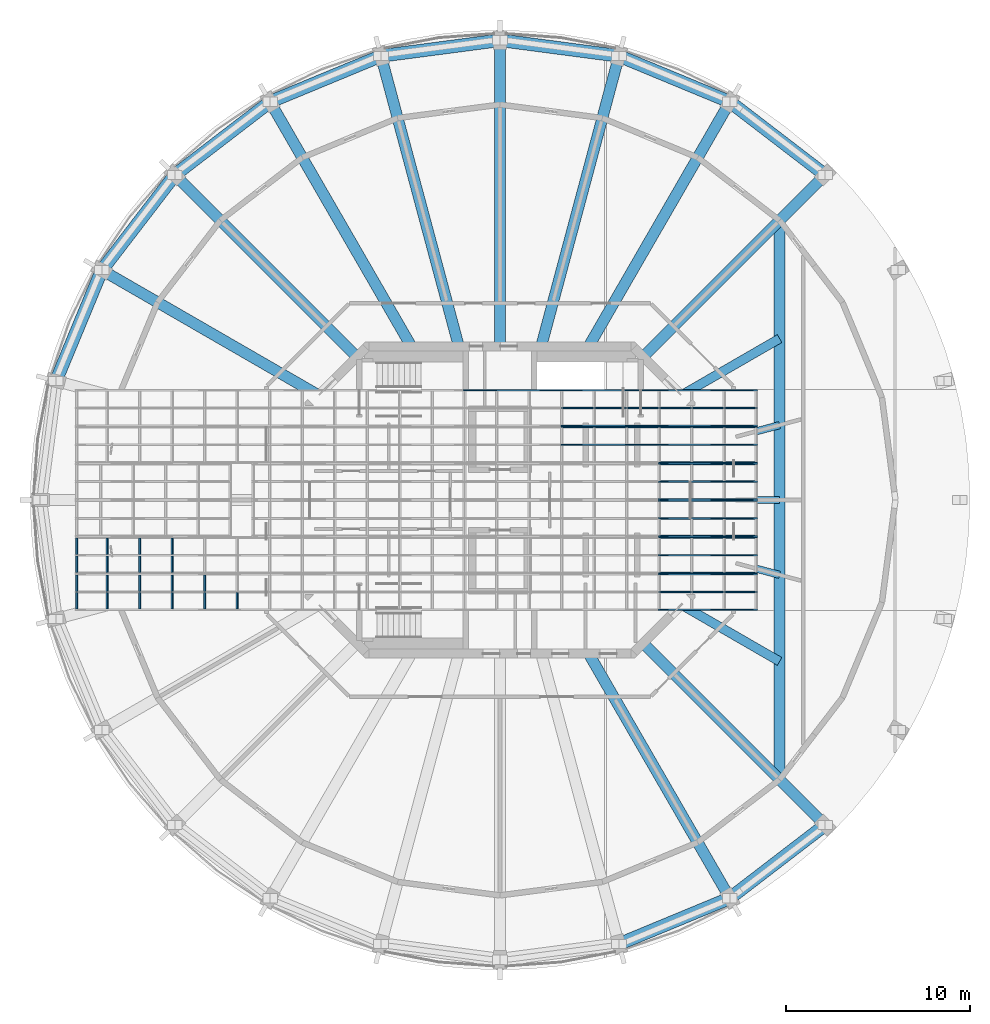
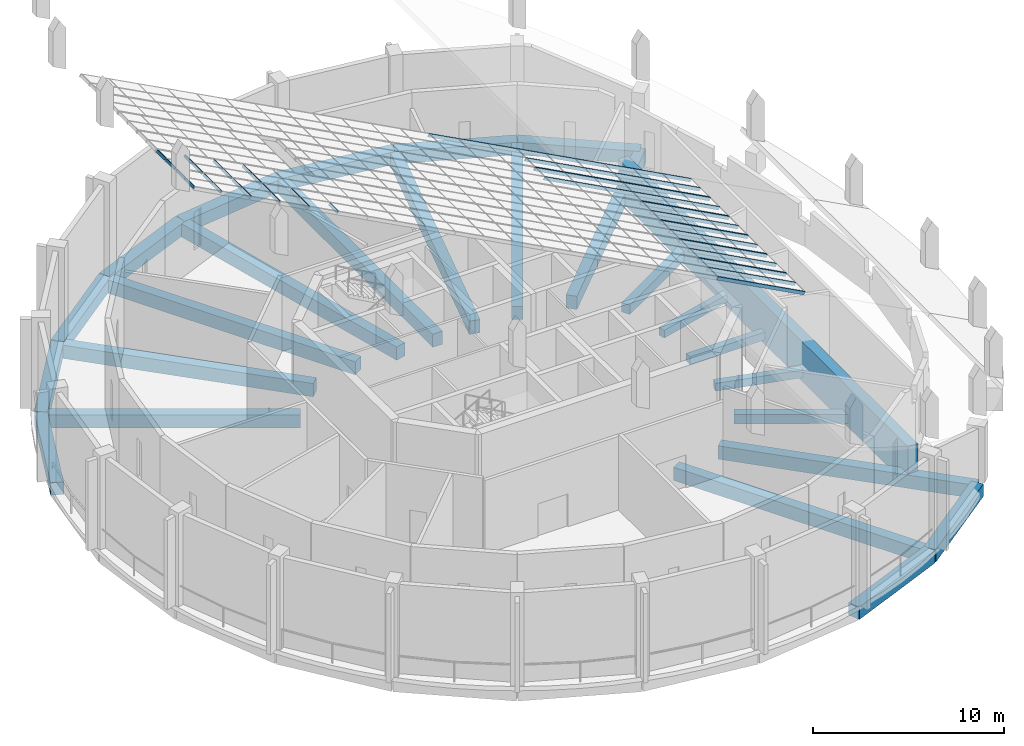
# One storey, part 3 of 19: 43 members, 26 beams, 6 elements without a shape of their own.
"""IFC4 building model written with IfcOpenShell, lengths in metres."""

from ifc_helpers import new_model, si_unit, direction, frame, origin, origin_2d, place, context, subcontext, project, spatial, rectangle, extrude, material, material_profile, profile_set, type_object, element, aggregate, save


model = new_model("IFC4")

# Units and contexts
model_context = context("Model", 3, precision=1e-05, world=origin(), true_north=direction((0.0, 1.0)))
body_context = subcontext(model_context, "Body", "Model", "MODEL_VIEW")
ifc_project = project(units=[si_unit("LENGTHUNIT", "METRE"), si_unit("AREAUNIT", "SQUARE_METRE"), si_unit("VOLUMEUNIT", "CUBIC_METRE"), si_unit("PLANEANGLEUNIT", "RADIAN"), si_unit("MASSUNIT", "GRAM", prefix="KILO")], contexts=[model_context])

# Site, building, storey
site_placement = place(None, origin())
site = spatial("IfcSite", under=ifc_project, at=site_placement, CompositionType="ELEMENT")
building_placement = place(site_placement, origin())
building = spatial("IfcBuilding", under=site, at=building_placement, Name="Torre Triforio", CompositionType="ELEMENT")
storey_placement = place(building_placement, frame((0.0, 0.0, 290.800048828125)))
storey = spatial("IfcBuildingStorey", under=building, at=storey_placement, Name="RF-1", CompositionType="ELEMENT", Elevation=290.800048828125)

# Curtain wall, members
ifc_material_1 = material(Name="Aluminium glazing bars with clear laminated glass", Category="aluminium")
curtain_wall_type = type_object("IfcCurtainWallType", Name="Crown lantern glazing CW4", PredefinedType="NOTDEFINED", material=ifc_material_1)
curtain_wall_1_placement = place(storey_placement, origin())
curtain_wall_1 = element("IfcCurtainWall", 1, at=curtain_wall_1_placement, inside=storey, type_object=curtain_wall_type, Name="Crown lantern run 1", PredefinedType="NOTDEFINED")
ifc_material_2 = material(Name="Anodised aluminium extrusion", Category="aluminium")
ifc_material_profile_1 = material_profile(ifc_material_2, rectangle(XDim=0.070068359375, YDim=0.199951171875, at=origin_2d()), Name="CW4 MULLION 70x200")
ifc_profile_set_1 = profile_set([ifc_material_profile_1], Name="Anodised aluminium extrusion")
member_type_1 = type_object("IfcMemberType", Name="CW4 glazing bar 70 x 200", PredefinedType="MULLION", material=ifc_profile_set_1)
member_1_placement = place(storey_placement, frame((13.953125, -5.965087890625, 6.052734375), z_axis=(-0.882923353666, 0.0, 0.469517147239), x_axis=(0.0, -1.0, 0.0)))
member_1 = element("IfcMember", 2, at=member_1_placement, type_object=member_type_1, Name="CW4 glazing bar 1.1", PredefinedType="MULLION", context=body_context, shape_type="SweptSolid", body=[
    extrude(rectangle(XDim=0.070068359375, YDim=0.199951171875, at=origin_2d()), origin(), (0.0, 0.0, 1.0), 6.0),
])
member_2_placement = place(storey_placement, frame((13.953125, -5.0, 6.052734375), z_axis=(-0.882923353666, 0.0, 0.469517147239), x_axis=(0.0, -1.0, 0.0)))
member_2 = element("IfcMember", 3, at=member_2_placement, type_object=member_type_1, Name="CW4 glazing bar 1.2", PredefinedType="MULLION", context=body_context, shape_type="SweptSolid", body=[
    extrude(rectangle(XDim=0.070068359375, YDim=0.199951171875, at=origin_2d()), origin(), (0.0, 0.0, 1.0), 6.0),
])
member_3_placement = place(storey_placement, frame((13.953125, -4.034912109375, 6.052734375), z_axis=(-0.882923353666, 0.0, 0.469517147239), x_axis=(0.0, -1.0, 0.0)))
member_3 = element("IfcMember", 4, at=member_3_placement, type_object=member_type_1, Name="CW4 glazing bar 1.3", PredefinedType="MULLION", context=body_context, shape_type="SweptSolid", body=[
    extrude(rectangle(XDim=0.070068359375, YDim=0.199951171875, at=origin_2d()), origin(), (0.0, 0.0, 1.0), 6.0),
])

curtain_wall_2_placement = place(storey_placement, origin())
curtain_wall_2 = element("IfcCurtainWall", 5, at=curtain_wall_2_placement, inside=storey, type_object=curtain_wall_type, Name="Crown lantern run 2", PredefinedType="NOTDEFINED")
member_4_placement = place(storey_placement, frame((13.953125, -3.965087890625, 6.052734375), z_axis=(-0.882923353666, 0.0, 0.469517147239), x_axis=(0.0, -1.0, 0.0)))
member_4 = element("IfcMember", 6, at=member_4_placement, type_object=member_type_1, Name="CW4 glazing bar 2.1", PredefinedType="MULLION", context=body_context, shape_type="SweptSolid", body=[
    extrude(rectangle(XDim=0.070068359375, YDim=0.199951171875, at=origin_2d()), origin(), (0.0, 0.0, 1.0), 6.0),
])
member_5_placement = place(storey_placement, frame((13.953125, -3.0, 6.052734375), z_axis=(-0.882923353666, 0.0, 0.469517147239), x_axis=(0.0, -1.0, 0.0)))
member_5 = element("IfcMember", 7, at=member_5_placement, type_object=member_type_1, Name="CW4 glazing bar 2.2", PredefinedType="MULLION", context=body_context, shape_type="SweptSolid", body=[
    extrude(rectangle(XDim=0.070068359375, YDim=0.199951171875, at=origin_2d()), origin(), (0.0, 0.0, 1.0), 6.0),
])
member_6_placement = place(storey_placement, frame((13.953125, -2.034912109375, 6.052734375), z_axis=(-0.882923353666, 0.0, 0.469517147239), x_axis=(0.0, -1.0, 0.0)))
member_6 = element("IfcMember", 8, at=member_6_placement, type_object=member_type_1, Name="CW4 glazing bar 2.3", PredefinedType="MULLION", context=body_context, shape_type="SweptSolid", body=[
    extrude(rectangle(XDim=0.070068359375, YDim=0.199951171875, at=origin_2d()), origin(), (0.0, 0.0, 1.0), 6.0),
])

curtain_wall_3_placement = place(storey_placement, origin())
curtain_wall_3 = element("IfcCurtainWall", 9, at=curtain_wall_3_placement, inside=storey, type_object=curtain_wall_type, Name="Crown lantern run 3", PredefinedType="NOTDEFINED")
member_7_placement = place(storey_placement, frame((13.953125, -1.965087890625, 6.052734375), z_axis=(-0.882923353666, 0.0, 0.469517147239), x_axis=(0.0, -1.0, 0.0)))
member_7 = element("IfcMember", 10, at=member_7_placement, type_object=member_type_1, Name="CW4 glazing bar 3.1", PredefinedType="MULLION", context=body_context, shape_type="SweptSolid", body=[
    extrude(rectangle(XDim=0.070068359375, YDim=0.199951171875, at=origin_2d()), origin(), (0.0, 0.0, 1.0), 6.0),
])
member_8_placement = place(storey_placement, frame((13.953125, -1.0, 6.052734375), z_axis=(-0.882923353666, 0.0, 0.469517147239), x_axis=(0.0, -1.0, 0.0)))
member_8 = element("IfcMember", 11, at=member_8_placement, type_object=member_type_1, Name="CW4 glazing bar 3.2", PredefinedType="MULLION", context=body_context, shape_type="SweptSolid", body=[
    extrude(rectangle(XDim=0.070068359375, YDim=0.199951171875, at=origin_2d()), origin(), (0.0, 0.0, 1.0), 6.0),
])
member_9_placement = place(storey_placement, frame((13.953125, -0.034912109375, 6.052734375), z_axis=(-0.882923353666, 0.0, 0.469517147239), x_axis=(0.0, -1.0, 0.0)))
member_9 = element("IfcMember", 12, at=member_9_placement, type_object=member_type_1, Name="CW4 glazing bar 3.3", PredefinedType="MULLION", context=body_context, shape_type="SweptSolid", body=[
    extrude(rectangle(XDim=0.070068359375, YDim=0.199951171875, at=origin_2d()), origin(), (0.0, 0.0, 1.0), 6.0),
])
aggregate(curtain_wall_3, [member_7, member_8, member_9])

curtain_wall_4_placement = place(storey_placement, origin())
curtain_wall_4 = element("IfcCurtainWall", 13, at=curtain_wall_4_placement, inside=storey, type_object=curtain_wall_type, Name="Crown lantern run 5", PredefinedType="NOTDEFINED")
member_10_placement = place(storey_placement, frame((13.953125, 0.034912109375, 6.052734375), z_axis=(-0.882923353666, 0.0, 0.469517147239), x_axis=(0.0, -1.0, 0.0)))
member_10 = element("IfcMember", 14, at=member_10_placement, type_object=member_type_1, Name="CW4 glazing bar 5.1", PredefinedType="MULLION", context=body_context, shape_type="SweptSolid", body=[
    extrude(rectangle(XDim=0.070068359375, YDim=0.199951171875, at=origin_2d()), origin(), (0.0, 0.0, 1.0), 6.0),
])
member_11_placement = place(storey_placement, frame((13.953125, 1.0, 6.052734375), z_axis=(-0.882923353666, 0.0, 0.469517147239), x_axis=(0.0, -1.0, 0.0)))
member_11 = element("IfcMember", 15, at=member_11_placement, type_object=member_type_1, Name="CW4 glazing bar 5.2", PredefinedType="MULLION", context=body_context, shape_type="SweptSolid", body=[
    extrude(rectangle(XDim=0.070068359375, YDim=0.199951171875, at=origin_2d()), origin(), (0.0, 0.0, 1.0), 6.0),
])
member_12_placement = place(storey_placement, frame((13.953125, 1.965087890625, 6.052734375), z_axis=(-0.882923353666, 0.0, 0.469517147239), x_axis=(0.0, -1.0, 0.0)))
member_12 = element("IfcMember", 16, at=member_12_placement, type_object=member_type_1, Name="CW4 glazing bar 5.3", PredefinedType="MULLION", context=body_context, shape_type="SweptSolid", body=[
    extrude(rectangle(XDim=0.070068359375, YDim=0.199951171875, at=origin_2d()), origin(), (0.0, 0.0, 1.0), 6.0),
])
aggregate(curtain_wall_4, [member_10, member_11, member_12])

curtain_wall_5_placement = place(storey_placement, origin())
curtain_wall_5 = element("IfcCurtainWall", 17, at=curtain_wall_5_placement, inside=storey, type_object=curtain_wall_type, Name="Crown lantern run 7", PredefinedType="NOTDEFINED")
member_13_placement = place(storey_placement, frame((13.953125, 2.034912109375, 6.052734375), z_axis=(-0.882923353666, 0.0, 0.469517147239), x_axis=(0.0, -1.0, 0.0)))
member_13 = element("IfcMember", 18, at=member_13_placement, type_object=member_type_1, Name="CW4 glazing bar 7.1", PredefinedType="MULLION", context=body_context, shape_type="SweptSolid", body=[
    extrude(rectangle(XDim=0.070068359375, YDim=0.199951171875, at=origin_2d()), origin(), (0.0, 0.0, 1.0), 6.0),
])
member_14_placement = place(storey_placement, frame((13.953125, 3.0, 6.052734375), z_axis=(-0.882923353666, 0.0, 0.469517147239), x_axis=(0.0, -1.0, 0.0)))
member_14 = element("IfcMember", 19, at=member_14_placement, type_object=member_type_1, Name="CW4 glazing bar 7.2", PredefinedType="MULLION", context=body_context, shape_type="SweptSolid", body=[
    extrude(rectangle(XDim=0.070068359375, YDim=0.199951171875, at=origin_2d()), origin(), (0.0, 0.0, 1.0), 6.0),
])
member_15_placement = place(storey_placement, frame((8.655517578125, 3.0, 8.869873046875), z_axis=(-0.882966055528, 0.0, 0.469436837909), x_axis=(0.0, -1.0, 0.0)))
member_15 = element("IfcMember", 20, at=member_15_placement, type_object=member_type_1, Name="CW4 glazing bar 7.2.2", PredefinedType="MULLION", context=body_context, shape_type="SweptSolid", body=[
    extrude(rectangle(XDim=0.070068359375, YDim=0.199951171875, at=origin_2d()), origin(), (0.0, 0.0, 1.0), 6.0),
])
member_16_placement = place(storey_placement, frame((13.953125, 3.965087890625, 6.052734375), z_axis=(-0.882923353666, 0.0, 0.469517147239), x_axis=(0.0, -1.0, 0.0)))
member_16 = element("IfcMember", 21, at=member_16_placement, type_object=member_type_1, Name="CW4 glazing bar 7.3", PredefinedType="MULLION", context=body_context, shape_type="SweptSolid", body=[
    extrude(rectangle(XDim=0.070068359375, YDim=0.199951171875, at=origin_2d()), origin(), (0.0, 0.0, 1.0), 6.0),
])
member_17_placement = place(storey_placement, frame((8.655517578125, 3.965087890625, 8.869873046875), z_axis=(-0.882966055528, 0.0, 0.469436837909), x_axis=(0.0, -1.0, 0.0)))
member_17 = element("IfcMember", 22, at=member_17_placement, type_object=member_type_1, Name="CW4 glazing bar 7.3.2", PredefinedType="MULLION", context=body_context, shape_type="SweptSolid", body=[
    extrude(rectangle(XDim=0.070068359375, YDim=0.199951171875, at=origin_2d()), origin(), (0.0, 0.0, 1.0), 6.0),
])
aggregate(curtain_wall_5, [member_13, member_14, member_15, member_16, member_17])

curtain_wall_6_placement = place(storey_placement, origin())
curtain_wall_6 = element("IfcCurtainWall", 23, at=curtain_wall_6_placement, inside=storey, type_object=curtain_wall_type, Name="Crown lantern run 8", PredefinedType="NOTDEFINED")
member_18_placement = place(storey_placement, frame((13.953125, 4.034912109375, 6.052734375), z_axis=(-0.882923353666, 0.0, 0.469517147239), x_axis=(0.0, -1.0, 0.0)))
member_18 = element("IfcMember", 24, at=member_18_placement, type_object=member_type_1, Name="CW4 glazing bar 8.1", PredefinedType="MULLION", context=body_context, shape_type="SweptSolid", body=[
    extrude(rectangle(XDim=0.070068359375, YDim=0.199951171875, at=origin_2d()), origin(), (0.0, 0.0, 1.0), 6.0),
])
member_19_placement = place(storey_placement, frame((8.655517578125, 4.034912109375, 8.869873046875), z_axis=(-0.882966055528, 0.0, 0.469436837909), x_axis=(0.0, -1.0, 0.0)))
member_19 = element("IfcMember", 25, at=member_19_placement, type_object=member_type_1, Name="CW4 glazing bar 8.1.2", PredefinedType="MULLION", context=body_context, shape_type="SweptSolid", body=[
    extrude(rectangle(XDim=0.070068359375, YDim=0.199951171875, at=origin_2d()), origin(), (0.0, 0.0, 1.0), 6.0),
])
member_20_placement = place(storey_placement, frame((13.953125, 5.0, 6.052734375), z_axis=(-0.882923353666, 0.0, 0.469517147239), x_axis=(0.0, -1.0, 0.0)))
member_20 = element("IfcMember", 26, at=member_20_placement, type_object=member_type_1, Name="CW4 glazing bar 8.2", PredefinedType="MULLION", context=body_context, shape_type="SweptSolid", body=[
    extrude(rectangle(XDim=0.070068359375, YDim=0.199951171875, at=origin_2d()), origin(), (0.0, 0.0, 1.0), 6.0),
])
member_21_placement = place(storey_placement, frame((8.655517578125, 5.0, 8.869873046875), z_axis=(-0.882966055528, 0.0, 0.469436837909), x_axis=(0.0, -1.0, 0.0)))
member_21 = element("IfcMember", 27, at=member_21_placement, type_object=member_type_1, Name="CW4 glazing bar 8.2.2", PredefinedType="MULLION", context=body_context, shape_type="SweptSolid", body=[
    extrude(rectangle(XDim=0.070068359375, YDim=0.199951171875, at=origin_2d()), origin(), (0.0, 0.0, 1.0), 6.0),
])
member_22_placement = place(storey_placement, frame((13.953125, 5.965087890625, 6.052734375), z_axis=(-0.882923353666, 0.0, 0.469517147239), x_axis=(0.0, -1.0, 0.0)))
member_22 = element("IfcMember", 28, at=member_22_placement, type_object=member_type_1, Name="CW4 glazing bar 8.3", PredefinedType="MULLION", context=body_context, shape_type="SweptSolid", body=[
    extrude(rectangle(XDim=0.070068359375, YDim=0.199951171875, at=origin_2d()), origin(), (0.0, 0.0, 1.0), 6.0),
])
member_23_placement = place(storey_placement, frame((8.655517578125, 5.965087890625, 8.869873046875), z_axis=(-0.882966055528, 0.0, 0.469436837909), x_axis=(0.0, -1.0, 0.0)))
member_23 = element("IfcMember", 29, at=member_23_placement, type_object=member_type_1, Name="CW4 glazing bar 8.3.2", PredefinedType="MULLION", context=body_context, shape_type="SweptSolid", body=[
    extrude(rectangle(XDim=0.070068359375, YDim=0.199951171875, at=origin_2d()), origin(), (0.0, 0.0, 1.0), 6.0),
])
member_24_placement = place(storey_placement, frame((3.357666015625, 5.965087890625, 11.6865234375), z_axis=(-0.882940221191, 0.0, 0.469485426614), x_axis=(0.0, -1.0, 0.0)))
member_24 = element("IfcMember", 30, at=member_24_placement, type_object=member_type_1, Name="CW4 glazing bar 8.3.3", PredefinedType="MULLION", context=body_context, shape_type="SweptSolid", body=[
    extrude(rectangle(XDim=0.070068359375, YDim=0.199951171875, at=origin_2d()), origin(), (0.0, 0.0, 1.0), 6.0),
])
aggregate(curtain_wall_6, [member_18, member_19, member_20, member_21, member_22, member_23, member_24])

# Member
ifc_material_profile_2 = material_profile(ifc_material_2, rectangle(XDim=0.070068359375, YDim=0.159912109375, at=origin_2d()), Name="CW4 TRANSOM 70x160")
ifc_profile_set_2 = profile_set([ifc_material_profile_2], Name="Anodised aluminium extrusion")
member_type_2 = type_object("IfcMemberType", Name="CW4 transom 70 x 160", PredefinedType="USERDEFINED", material=ifc_profile_set_2)
member_25_placement = place(storey_placement, frame((-14.2919921875, -5.929931640625, 21.09375), z_axis=(0.0, 1.0, 0.0), x_axis=(-0.882947592859, 0.0, 0.469471562786)))
member_25 = element("IfcMember", 31, at=member_25_placement, type_object=member_type_2, Name="CW4 transom 1.17.1", ObjectType="TRANSOM", PredefinedType="USERDEFINED", context=body_context, shape_type="SweptSolid", body=[
    extrude(rectangle(XDim=0.070068359375, YDim=0.159912109375, at=origin_2d()), origin(), (0.0, 0.0, 1.0), 0.89501953125),
])

member_26_placement = place(storey_placement, frame((-16.057861328125, -5.929931640625, 22.032470703125), z_axis=(0.0, 1.0, 0.0), x_axis=(-0.882947592859, 0.0, 0.469471562786)))
member_26 = element("IfcMember", 32, at=member_26_placement, type_object=member_type_2, Name="CW4 transom 1.18.1", ObjectType="TRANSOM", PredefinedType="USERDEFINED", context=body_context, shape_type="SweptSolid", body=[
    extrude(rectangle(XDim=0.070068359375, YDim=0.159912109375, at=origin_2d()), origin(), (0.0, 0.0, 1.0), 0.89501953125),
])

member_27_placement = place(storey_placement, frame((-16.057861328125, -4.965087890625, 22.032470703125), z_axis=(0.0, 1.0, 0.0), x_axis=(-0.882947592859, 0.0, 0.469471562786)))
member_27 = element("IfcMember", 33, at=member_27_placement, type_object=member_type_2, Name="CW4 transom 1.18.2", ObjectType="TRANSOM", PredefinedType="USERDEFINED", context=body_context, shape_type="SweptSolid", body=[
    extrude(rectangle(XDim=0.070068359375, YDim=0.159912109375, at=origin_2d()), origin(), (0.0, 0.0, 1.0), 0.89501953125),
])

member_28_placement = place(storey_placement, frame((-17.82373046875, -5.929931640625, 22.971435546875), z_axis=(0.0, 1.0, 0.0), x_axis=(-0.882947592859, 0.0, 0.469471562786)))
member_28 = element("IfcMember", 34, at=member_28_placement, type_object=member_type_2, Name="CW4 transom 1.19.1", ObjectType="TRANSOM", PredefinedType="USERDEFINED", context=body_context, shape_type="SweptSolid", body=[
    extrude(rectangle(XDim=0.070068359375, YDim=0.159912109375, at=origin_2d()), origin(), (0.0, 0.0, 1.0), 0.89501953125),
])

member_29_placement = place(storey_placement, frame((-17.82373046875, -4.965087890625, 22.971435546875), z_axis=(0.0, 1.0, 0.0), x_axis=(-0.882947592859, 0.0, 0.469471562786)))
member_29 = element("IfcMember", 35, at=member_29_placement, type_object=member_type_2, Name="CW4 transom 1.19.2", ObjectType="TRANSOM", PredefinedType="USERDEFINED", context=body_context, shape_type="SweptSolid", body=[
    extrude(rectangle(XDim=0.070068359375, YDim=0.159912109375, at=origin_2d()), origin(), (0.0, 0.0, 1.0), 0.89501953125),
])

member_30_placement = place(storey_placement, frame((-19.589599609375, -5.929931640625, 23.910400390625), z_axis=(0.0, 1.0, 0.0), x_axis=(-0.882947592859, 0.0, 0.469471562786)))
member_30 = element("IfcMember", 36, at=member_30_placement, type_object=member_type_2, Name="CW4 transom 1.20.1", ObjectType="TRANSOM", PredefinedType="USERDEFINED", context=body_context, shape_type="SweptSolid", body=[
    extrude(rectangle(XDim=0.070068359375, YDim=0.159912109375, at=origin_2d()), origin(), (0.0, 0.0, 1.0), 0.89501953125),
])

member_31_placement = place(storey_placement, frame((-19.589599609375, -4.965087890625, 23.910400390625), z_axis=(0.0, 1.0, 0.0), x_axis=(-0.882947592859, 0.0, 0.469471562786)))
member_31 = element("IfcMember", 37, at=member_31_placement, type_object=member_type_2, Name="CW4 transom 1.20.2", ObjectType="TRANSOM", PredefinedType="USERDEFINED", context=body_context, shape_type="SweptSolid", body=[
    extrude(rectangle(XDim=0.070068359375, YDim=0.159912109375, at=origin_2d()), origin(), (0.0, 0.0, 1.0), 0.89501953125),
])

member_32_placement = place(storey_placement, frame((-21.35546875, -5.929931640625, 24.849365234375), z_axis=(0.0, 1.0, 0.0), x_axis=(-0.882947592859, 0.0, 0.469471562786)))
member_32 = element("IfcMember", 38, at=member_32_placement, type_object=member_type_2, Name="CW4 transom 1.21.1", ObjectType="TRANSOM", PredefinedType="USERDEFINED", context=body_context, shape_type="SweptSolid", body=[
    extrude(rectangle(XDim=0.070068359375, YDim=0.159912109375, at=origin_2d()), origin(), (0.0, 0.0, 1.0), 0.89501953125),
])

member_33_placement = place(storey_placement, frame((-21.35546875, -4.965087890625, 24.849365234375), z_axis=(0.0, 1.0, 0.0), x_axis=(-0.882947592859, 0.0, 0.469471562786)))
member_33 = element("IfcMember", 39, at=member_33_placement, type_object=member_type_2, Name="CW4 transom 1.21.2", ObjectType="TRANSOM", PredefinedType="USERDEFINED", context=body_context, shape_type="SweptSolid", body=[
    extrude(rectangle(XDim=0.070068359375, YDim=0.159912109375, at=origin_2d()), origin(), (0.0, 0.0, 1.0), 0.89501953125),
])

member_34_placement = place(storey_placement, frame((-23.006591796875, -5.929931640625, 25.727294921875), z_axis=(0.0, 1.0, 0.0), x_axis=(-0.882947592859, 0.0, 0.469471562786)))
member_34 = element("IfcMember", 40, at=member_34_placement, type_object=member_type_2, Name="CW4 transom 1.22.1", ObjectType="TRANSOM", PredefinedType="USERDEFINED", context=body_context, shape_type="SweptSolid", body=[
    extrude(rectangle(XDim=0.070068359375, YDim=0.159912109375, at=origin_2d()), origin(), (0.0, 0.0, 1.0), 0.89501953125),
])

member_35_placement = place(storey_placement, frame((-23.006591796875, -4.965087890625, 25.727294921875), z_axis=(0.0, 1.0, 0.0), x_axis=(-0.882947592859, 0.0, 0.469471562786)))
member_35 = element("IfcMember", 41, at=member_35_placement, type_object=member_type_2, Name="CW4 transom 1.22.2", ObjectType="TRANSOM", PredefinedType="USERDEFINED", context=body_context, shape_type="SweptSolid", body=[
    extrude(rectangle(XDim=0.070068359375, YDim=0.159912109375, at=origin_2d()), origin(), (0.0, 0.0, 1.0), 0.89501953125),
])

aggregate(curtain_wall_1, [member_1, member_2, member_3, member_25, member_26, member_27, member_28, member_29, member_30, member_31, member_32, member_33, member_34, member_35])

member_36_placement = place(storey_placement, frame((-17.82373046875, -3.929931640625, 22.971435546875), z_axis=(0.0, 1.0, 0.0), x_axis=(-0.882947592859, 0.0, 0.469471562786)))
member_36 = element("IfcMember", 42, at=member_36_placement, type_object=member_type_2, Name="CW4 transom 2.19.1", ObjectType="TRANSOM", PredefinedType="USERDEFINED", context=body_context, shape_type="SweptSolid", body=[
    extrude(rectangle(XDim=0.070068359375, YDim=0.159912109375, at=origin_2d()), origin(), (0.0, 0.0, 1.0), 0.89501953125),
])

member_37_placement = place(storey_placement, frame((-17.82373046875, -2.965087890625, 22.971435546875), z_axis=(0.0, 1.0, 0.0), x_axis=(-0.882947592859, 0.0, 0.469471562786)))
member_37 = element("IfcMember", 43, at=member_37_placement, type_object=member_type_2, Name="CW4 transom 2.19.2", ObjectType="TRANSOM", PredefinedType="USERDEFINED", context=body_context, shape_type="SweptSolid", body=[
    extrude(rectangle(XDim=0.070068359375, YDim=0.159912109375, at=origin_2d()), origin(), (0.0, 0.0, 1.0), 0.89501953125),
])

member_38_placement = place(storey_placement, frame((-19.589599609375, -3.929931640625, 23.910400390625), z_axis=(0.0, 1.0, 0.0), x_axis=(-0.882947592859, 0.0, 0.469471562786)))
member_38 = element("IfcMember", 44, at=member_38_placement, type_object=member_type_2, Name="CW4 transom 2.20.1", ObjectType="TRANSOM", PredefinedType="USERDEFINED", context=body_context, shape_type="SweptSolid", body=[
    extrude(rectangle(XDim=0.070068359375, YDim=0.159912109375, at=origin_2d()), origin(), (0.0, 0.0, 1.0), 0.89501953125),
])

member_39_placement = place(storey_placement, frame((-19.589599609375, -2.965087890625, 23.910400390625), z_axis=(0.0, 1.0, 0.0), x_axis=(-0.882947592859, 0.0, 0.469471562786)))
member_39 = element("IfcMember", 45, at=member_39_placement, type_object=member_type_2, Name="CW4 transom 2.20.2", ObjectType="TRANSOM", PredefinedType="USERDEFINED", context=body_context, shape_type="SweptSolid", body=[
    extrude(rectangle(XDim=0.070068359375, YDim=0.159912109375, at=origin_2d()), origin(), (0.0, 0.0, 1.0), 0.89501953125),
])

member_40_placement = place(storey_placement, frame((-21.35546875, -3.929931640625, 24.849365234375), z_axis=(0.0, 1.0, 0.0), x_axis=(-0.882947592859, 0.0, 0.469471562786)))
member_40 = element("IfcMember", 46, at=member_40_placement, type_object=member_type_2, Name="CW4 transom 2.21.1", ObjectType="TRANSOM", PredefinedType="USERDEFINED", context=body_context, shape_type="SweptSolid", body=[
    extrude(rectangle(XDim=0.070068359375, YDim=0.159912109375, at=origin_2d()), origin(), (0.0, 0.0, 1.0), 0.89501953125),
])

member_41_placement = place(storey_placement, frame((-21.35546875, -2.965087890625, 24.849365234375), z_axis=(0.0, 1.0, 0.0), x_axis=(-0.882947592859, 0.0, 0.469471562786)))
member_41 = element("IfcMember", 47, at=member_41_placement, type_object=member_type_2, Name="CW4 transom 2.21.2", ObjectType="TRANSOM", PredefinedType="USERDEFINED", context=body_context, shape_type="SweptSolid", body=[
    extrude(rectangle(XDim=0.070068359375, YDim=0.159912109375, at=origin_2d()), origin(), (0.0, 0.0, 1.0), 0.89501953125),
])

member_42_placement = place(storey_placement, frame((-23.006591796875, -3.929931640625, 25.727294921875), z_axis=(0.0, 1.0, 0.0), x_axis=(-0.882947592859, 0.0, 0.469471562786)))
member_42 = element("IfcMember", 48, at=member_42_placement, type_object=member_type_2, Name="CW4 transom 2.22.1", ObjectType="TRANSOM", PredefinedType="USERDEFINED", context=body_context, shape_type="SweptSolid", body=[
    extrude(rectangle(XDim=0.070068359375, YDim=0.159912109375, at=origin_2d()), origin(), (0.0, 0.0, 1.0), 0.89501953125),
])

member_43_placement = place(storey_placement, frame((-23.006591796875, -2.965087890625, 25.727294921875), z_axis=(0.0, 1.0, 0.0), x_axis=(-0.882947592859, 0.0, 0.469471562786)))
member_43 = element("IfcMember", 49, at=member_43_placement, type_object=member_type_2, Name="CW4 transom 2.22.2", ObjectType="TRANSOM", PredefinedType="USERDEFINED", context=body_context, shape_type="SweptSolid", body=[
    extrude(rectangle(XDim=0.070068359375, YDim=0.159912109375, at=origin_2d()), origin(), (0.0, 0.0, 1.0), 0.89501953125),
])

aggregate(curtain_wall_2, [member_4, member_5, member_6, member_36, member_37, member_38, member_39, member_40, member_41, member_42, member_43])

# Beams
ifc_material_3 = material(Name="Concrete C40", Category="concrete")
ifc_material_profile_3 = material_profile(ifc_material_3, rectangle(XDim=0.60009765625, YDim=2.550048828125, at=origin_2d()), Name="RC 600x2550")
ifc_profile_set_3 = profile_set([ifc_material_profile_3], Name="Concrete C40")
beam_type_1 = type_object("IfcBeamType", Name="Edge girder RC 600x2550 C40", PredefinedType="BEAM", material=ifc_profile_set_3)
beam_1_placement = place(storey_placement, frame((15.202880859375, -15.202880859375, 0.195068359375), z_axis=(0.0, 1.0, 0.0), x_axis=(-1.0, 0.0, 0.0)))
element("IfcBeam", 50, at=beam_1_placement, inside=storey, type_object=beam_type_1, Name="BM.E.RF-1.1", PredefinedType="BEAM", context=body_context, shape_type="SweptSolid", body=[
    extrude(rectangle(XDim=0.60009765625, YDim=2.550048828125, at=origin_2d()), origin(), (0.0, 0.0, 1.0), 30.40576171875),
])
ifc_material_profile_4 = material_profile(ifc_material_3, rectangle(XDim=0.39990234375, YDim=0.5, at=origin_2d()), Name="RC 400x500")
ifc_profile_set_4 = profile_set([ifc_material_profile_4], Name="Concrete C40")
beam_type_2 = type_object("IfcBeamType", Name="Radial beam RC 400x500 C40", PredefinedType="BEAM", material=ifc_profile_set_4)
beam_2_placement = place(storey_placement, frame((10.35009765625, 0.0, -0.530029296875), z_axis=(1.0, 0.0, 0.0), x_axis=(0.0, 1.0, 0.0)))
element("IfcBeam", 51, at=beam_2_placement, inside=storey, type_object=beam_type_2, Name="BM.R.RF-1.00", PredefinedType="BEAM", context=body_context, shape_type="SweptSolid", body=[
    extrude(rectangle(XDim=0.39990234375, YDim=0.5, at=origin_2d()), origin(), (0.0, 0.0, 1.0), 4.852783203125),
])
for number, where, z_axis, x_axis, name in (
    (52, (10.35009765625, 2.773193359375, -0.530029296875), (0.965926143347, 0.258817861824, 0.0), (-0.258817861824, 0.965926143347, 0.0), "BM.R.RF-1.01"),
    (53, (10.35009765625, -2.773193359375, -0.530029296875), (0.965926143347, -0.258817861824, 0.0), (0.258817861824, 0.965926143347, 0.0), "BM.R.RF-1.23"),
):
    element("IfcBeam", number, at=place(storey_placement, frame(where, z_axis=z_axis, x_axis=x_axis)), inside=storey, type_object=beam_type_2, Name=name, PredefinedType="BEAM", context=body_context, shape_type="SweptSolid", body=[
        extrude(rectangle(XDim=0.39990234375, YDim=0.5, at=origin_2d()), origin(), (0.0, 0.0, 1.0), 5.02392578125),
    ])
ifc_material_profile_5 = material_profile(ifc_material_3, rectangle(XDim=0.5, YDim=0.60009765625, at=origin_2d()), Name="RC 500x600")
ifc_profile_set_5 = profile_set([ifc_material_profile_5], Name="Concrete C40")
beam_type_3 = type_object("IfcBeamType", Name="Radial beam RC 500x600 C40", PredefinedType="BEAM", material=ifc_profile_set_5)
for number, where, z_axis, x_axis, name in (
    (54, (9.860595703125, 5.693115234375, -0.580078125), (0.866035319247, 0.499982825521, 0.0), (-0.499982825521, 0.866035319247, 0.0), "BM.R.RF-1.02"),
    (55, (9.860595703125, -5.693115234375, -0.580078125), (0.866035319247, -0.499982825521, 0.0), (0.499982825521, 0.866035319247, 0.0), "BM.R.RF-1.22"),
):
    element("IfcBeam", number, at=place(storey_placement, frame(where, z_axis=z_axis, x_axis=x_axis)), inside=storey, type_object=beam_type_3, Name=name, PredefinedType="BEAM", context=body_context, shape_type="SweptSolid", body=[
        extrude(rectangle(XDim=0.5, YDim=0.60009765625, at=origin_2d()), origin(), (0.0, 0.0, 1.0), 6.168701171875),
    ])
ifc_material_profile_6 = material_profile(ifc_material_3, rectangle(XDim=0.60009765625, YDim=0.85009765625, at=origin_2d()), Name="RC 600x850")
ifc_profile_set_6 = profile_set([ifc_material_profile_6], Name="Concrete C40")
beam_type_4 = type_object("IfcBeamType", Name="Radial beam RC 600x850 C40", PredefinedType="BEAM", material=ifc_profile_set_6)
beam_3_placement = place(storey_placement, frame((7.77685546875, 7.77685546875, -0.705078125), z_axis=(0.707106781187, 0.707106781187, 0.0), x_axis=(-0.707106781187, 0.707106781187, 0.0)))
element("IfcBeam", 56, at=beam_3_placement, inside=storey, type_object=beam_type_4, Name="BM.R.RF-1.03", PredefinedType="BEAM", context=body_context, shape_type="SweptSolid", body=[
    extrude(rectangle(XDim=0.60009765625, YDim=0.85009765625, at=origin_2d()), origin(), (0.0, 0.0, 1.0), 14.001953125),
])
beam_4_placement = place(storey_placement, frame((4.82080078125, 8.35009765625, -0.705078125), z_axis=(0.500006374672, 0.866021723334, 0.0), x_axis=(-0.866021723334, 0.500006374672, 0.0)))
element("IfcBeam", 57, at=beam_4_placement, inside=storey, type_object=beam_type_4, Name="BM.R.RF-1.04", PredefinedType="BEAM", context=body_context, shape_type="SweptSolid", body=[
    extrude(rectangle(XDim=0.60009765625, YDim=0.85009765625, at=origin_2d()), origin(), (0.0, 0.0, 1.0), 15.358154296875),
])
beam_5_placement = place(storey_placement, frame((2.2373046875, 8.35009765625, -0.705078125), z_axis=(0.258822884948, 0.965924797397, 0.0), x_axis=(-0.965924797397, 0.258822884948, 0.0)))
element("IfcBeam", 58, at=beam_5_placement, inside=storey, type_object=beam_type_4, Name="BM.R.RF-1.05", PredefinedType="BEAM", context=body_context, shape_type="SweptSolid", body=[
    extrude(rectangle(XDim=0.60009765625, YDim=0.85009765625, at=origin_2d()), origin(), (0.0, 0.0, 1.0), 16.35546875),
])
beam_6_placement = place(storey_placement, frame((0.0, 8.35009765625, -0.705078125), z_axis=(0.0, 1.0, 0.0), x_axis=(-1.0, 0.0, 0.0)))
element("IfcBeam", 59, at=beam_6_placement, inside=storey, type_object=beam_type_4, Name="BM.R.RF-1.06", PredefinedType="BEAM", context=body_context, shape_type="SweptSolid", body=[
    extrude(rectangle(XDim=0.60009765625, YDim=0.85009765625, at=origin_2d()), origin(), (0.0, 0.0, 1.0), 16.64990234375),
])
beam_7_placement = place(storey_placement, frame((-2.2373046875, 8.35009765625, -0.705078125), z_axis=(-0.258822884948, 0.965924797397, 0.0), x_axis=(-0.965924797397, -0.258822884948, 0.0)))
element("IfcBeam", 60, at=beam_7_placement, inside=storey, type_object=beam_type_4, Name="BM.R.RF-1.07", PredefinedType="BEAM", context=body_context, shape_type="SweptSolid", body=[
    extrude(rectangle(XDim=0.60009765625, YDim=0.85009765625, at=origin_2d()), origin(), (0.0, 0.0, 1.0), 16.35546875),
])
beam_8_placement = place(storey_placement, frame((-4.82080078125, 8.35009765625, -0.705078125), z_axis=(-0.500006374672, 0.866021723334, 0.0), x_axis=(-0.866021723334, -0.500006374672, 0.0)))
element("IfcBeam", 61, at=beam_8_placement, inside=storey, type_object=beam_type_4, Name="BM.R.RF-1.08", PredefinedType="BEAM", context=body_context, shape_type="SweptSolid", body=[
    extrude(rectangle(XDim=0.60009765625, YDim=0.85009765625, at=origin_2d()), origin(), (0.0, 0.0, 1.0), 15.358154296875),
])
beam_9_placement = place(storey_placement, frame((-7.77685546875, 7.77685546875, -0.705078125), z_axis=(-0.707106781187, 0.707106781187, 0.0), x_axis=(-0.707106781187, -0.707106781187, 0.0)))
element("IfcBeam", 62, at=beam_9_placement, inside=storey, type_object=beam_type_4, Name="BM.R.RF-1.09", PredefinedType="BEAM", context=body_context, shape_type="SweptSolid", body=[
    extrude(rectangle(XDim=0.60009765625, YDim=0.85009765625, at=origin_2d()), origin(), (0.0, 0.0, 1.0), 14.001953125),
])
beam_10_placement = place(storey_placement, frame((-9.860595703125, 5.693115234375, -0.705078125), z_axis=(-0.866028503669, 0.499994630804, 0.0), x_axis=(-0.499994630804, -0.866028503669, 0.0)))
element("IfcBeam", 63, at=beam_10_placement, inside=storey, type_object=beam_type_4, Name="BM.R.RF-1.10", PredefinedType="BEAM", context=body_context, shape_type="SweptSolid", body=[
    extrude(rectangle(XDim=0.60009765625, YDim=0.85009765625, at=origin_2d()), origin(), (0.0, 0.0, 1.0), 13.614013671875),
])
beam_11_placement = place(storey_placement, frame((4.82080078125, -8.35009765625, -0.705078125), z_axis=(0.500006374672, -0.866021723334, 0.0), x_axis=(0.866021723334, 0.500006374672, 0.0)))
element("IfcBeam", 64, at=beam_11_placement, inside=storey, type_object=beam_type_4, Name="BM.R.RF-1.20", PredefinedType="BEAM", context=body_context, shape_type="SweptSolid", body=[
    extrude(rectangle(XDim=0.60009765625, YDim=0.85009765625, at=origin_2d()), origin(), (0.0, 0.0, 1.0), 15.358154296875),
])
beam_12_placement = place(storey_placement, frame((7.77685546875, -7.77685546875, -0.705078125), z_axis=(0.707106781187, -0.707106781187, 0.0), x_axis=(0.707106781187, 0.707106781187, 0.0)))
element("IfcBeam", 65, at=beam_12_placement, inside=storey, type_object=beam_type_4, Name="BM.R.RF-1.21", PredefinedType="BEAM", context=body_context, shape_type="SweptSolid", body=[
    extrude(rectangle(XDim=0.60009765625, YDim=0.85009765625, at=origin_2d()), origin(), (0.0, 0.0, 1.0), 14.001953125),
])
ifc_material_profile_7 = material_profile(ifc_material_3, rectangle(XDim=0.699951171875, YDim=0.800048828125, at=origin_2d()), Name="RC 700x800")
ifc_profile_set_7 = profile_set([ifc_material_profile_7], Name="Concrete C40")
beam_type_5 = type_object("IfcBeamType", Name="Spandrel beam RC 700x800 C40", PredefinedType="SPANDREL", material=ifc_profile_set_7)
for number, where, z_axis, x_axis, name in (
    (66, (17.677734375, 17.677734375, -0.679931640625), (-0.793361845441, 0.608750344722, 0.0), (-0.608750344722, -0.793361845441, 0.0), "BM.S.RF-1.03"),
    (67, (12.5, 21.650634765625, -0.679931640625), (-0.923877315173, 0.382688785449, 0.0), (-0.382688785449, -0.923877315173, 0.0), "BM.S.RF-1.04"),
    (68, (6.470458984375, 24.148193359375, -0.679931640625), (-0.991445762482, 0.130519347444, 0.0), (-0.130519347444, -0.991445762482, 0.0), "BM.S.RF-1.05"),
    (69, (0.0, 25.0, -0.679931640625), (-0.991445762482, -0.130519347444, 0.0), (0.130519347444, -0.991445762482, 0.0), "BM.S.RF-1.06"),
    (70, (-6.470458984375, 24.148193359375, -0.679931640625), (-0.923877315173, -0.382688785449, 0.0), (0.382688785449, -0.923877315173, 0.0), "BM.S.RF-1.07"),
    (71, (-12.5, 21.650634765625, -0.679931640625), (-0.793361845441, -0.608750344722, 0.0), (0.608750344722, -0.793361845441, 0.0), "BM.S.RF-1.08"),
    (72, (-17.677734375, 17.677734375, -0.679931640625), (-0.608750344722, -0.793361845441, 0.0), (0.793361845441, -0.608750344722, 0.0), "BM.S.RF-1.09"),
    (73, (-21.650634765625, 12.5, -0.679931640625), (-0.382688785449, -0.923877315173, 0.0), (0.923877315173, -0.382688785449, 0.0), "BM.S.RF-1.10"),
    (74, (6.470458984375, -24.148193359375, -0.679931640625), (0.923877315173, 0.382688785449, 0.0), (-0.382688785449, 0.923877315173, 0.0), "BM.S.RF-1.19"),
    (75, (12.5, -21.650634765625, -0.679931640625), (0.793361845441, 0.608750344722, 0.0), (-0.608750344722, 0.793361845441, 0.0), "BM.S.RF-1.20"),
):
    element("IfcBeam", number, at=place(storey_placement, frame(where, z_axis=z_axis, x_axis=x_axis)), inside=storey, type_object=beam_type_5, Name=name, PredefinedType="SPANDREL", context=body_context, shape_type="SweptSolid", body=[
        extrude(rectangle(XDim=0.699951171875, YDim=0.800048828125, at=origin_2d()), origin(), (0.0, 0.0, 1.0), 6.5263671875),
    ])

save(model, "model.ifc")
